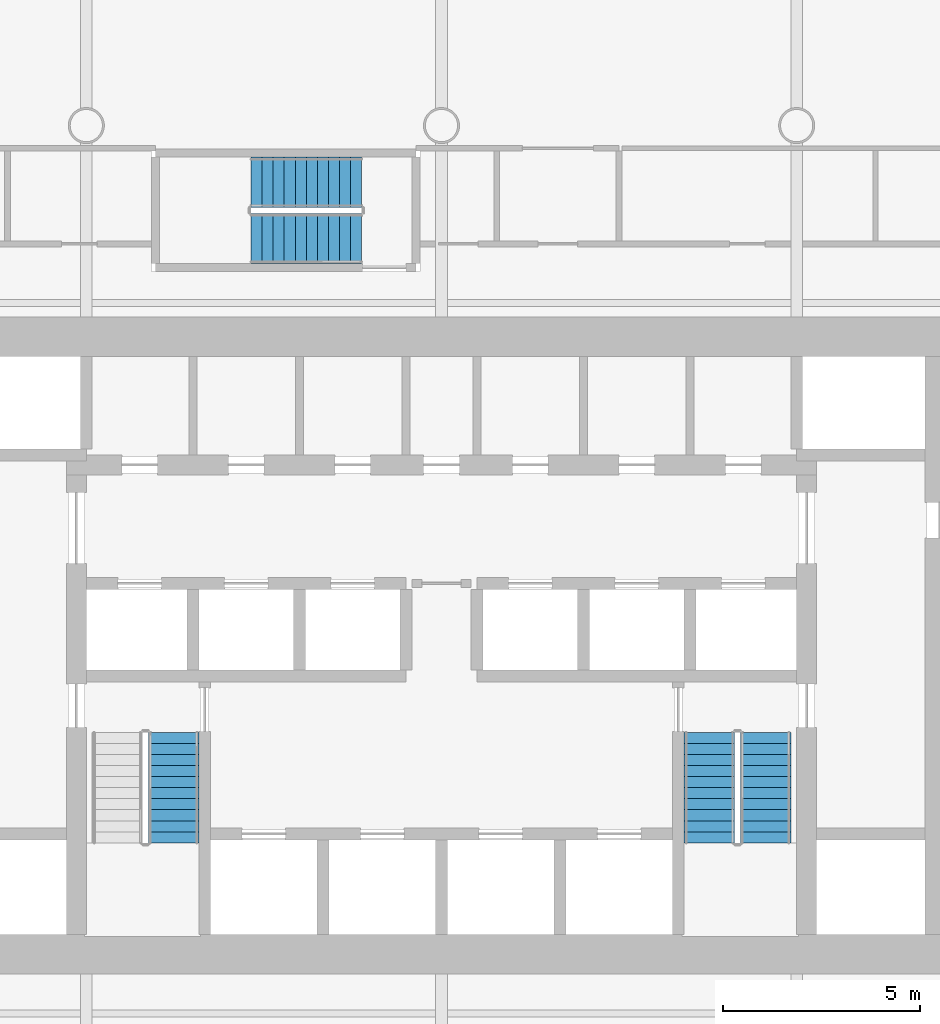
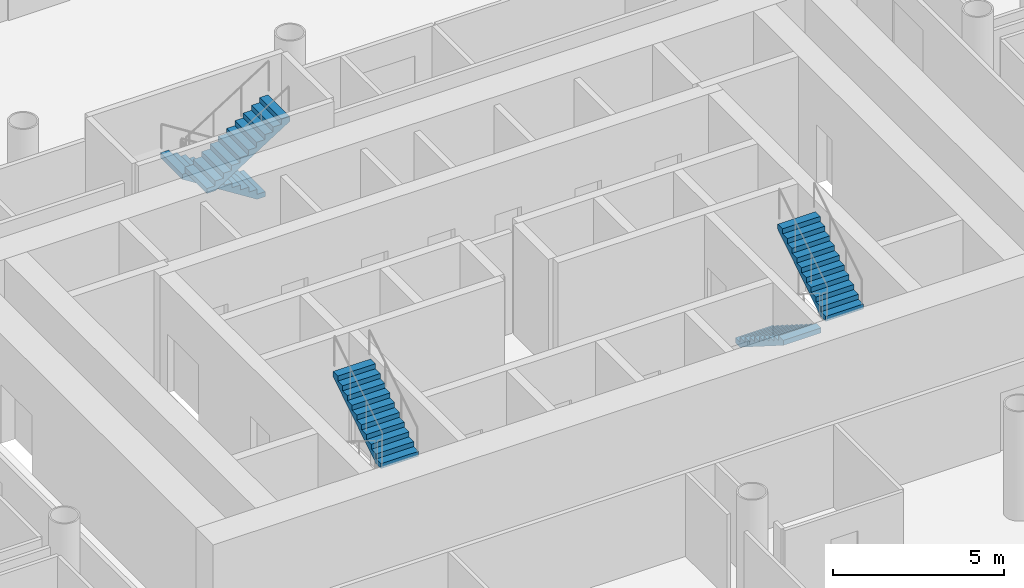
# One storey, part 17 of 22: 5 stair flights, 3 elements without a shape of their own.
"""IFC4 building model written with IfcOpenShell, lengths in metres."""

from ifc_helpers import new_model, si_unit, direction, frame, origin, place, context, subcontext, project, spatial, polyline, outline, extrude, material, type_object, element, aggregate, save


model = new_model("IFC4")

# Units and contexts
model_context = context("Model", 3, precision=1e-05, world=origin(), true_north=direction((0.0, 1.0)))
body_context = subcontext(model_context, "Body", "Model", "MODEL_VIEW")
ifc_project = project(units=[si_unit("LENGTHUNIT", "METRE"), si_unit("AREAUNIT", "SQUARE_METRE"), si_unit("VOLUMEUNIT", "CUBIC_METRE"), si_unit("PLANEANGLEUNIT", "RADIAN"), si_unit("MASSUNIT", "GRAM", prefix="KILO")], contexts=[model_context])

# Site, building, storey
site_placement = place(None, origin())
site = spatial("IfcSite", under=ifc_project, at=site_placement, CompositionType="ELEMENT")
building_placement = place(site_placement, origin())
building = spatial("IfcBuilding", under=site, at=building_placement, Name="Tskaro Facet Tower", CompositionType="ELEMENT")
storey_placement = place(building_placement, frame((0.0, 0.0, 18.60009765625)))
storey = spatial("IfcBuildingStorey", under=building, at=storey_placement, Name="L03", CompositionType="ELEMENT", Elevation=18.60009765625)

# Stair, stair flight
ifc_material = material(Name="Concrete C40/50", Category="concrete")
stair_type = type_object("IfcStairType", Name="ST-TWR", PredefinedType="HALF_TURN_STAIR", material=ifc_material)
stair_1_placement = place(storey_placement, origin())
stair_1 = element("IfcStair", 1, at=stair_1_placement, inside=storey, type_object=stair_type, Name="L03 Exit stair 1", PredefinedType="HALF_TURN_STAIR")
stair_flight_type = type_object("IfcStairFlightType", Name="SFL-RC", PredefinedType="STRAIGHT", material=ifc_material)
stair_flight_1_placement = place(storey_placement, frame((-6.78759765625, -9.175048828125, 1.949951171875), z_axis=(0.0, 0.0, 1.0), x_axis=(0.0, 1.0, 0.0)))
stair_flight_1 = element("IfcStairFlight", 2, at=stair_flight_1_placement, type_object=stair_flight_type, Name="ST-1 flight 2", NumberOfRisers=11, NumberOfTreads=10, PredefinedType="STRAIGHT", RiserHeight=0.177272727, TreadLength=0.28, context=body_context, shape_type="SweptSolid", body=[
    extrude(outline(polyline([(0.0, 0.0), (0.0, 0.17724609375), (0.280029296875, 0.17724609375), (0.280029296875, 0.3544921875), (0.56005859375, 0.3544921875), (0.56005859375, 0.53173828125), (0.840087890625, 0.53173828125), (0.840087890625, 0.708984375), (1.1201171875, 0.708984375), (1.1201171875, 0.886474609375), (1.39990234375, 0.886474609375), (1.39990234375, 1.063720703125), (1.679931640625, 1.063720703125), (1.679931640625, 1.240966796875), (1.9599609375, 1.240966796875), (1.9599609375, 1.418212890625), (2.239990234375, 1.418212890625), (2.239990234375, 1.595458984375), (2.52001953125, 1.595458984375), (2.52001953125, 1.772705078125), (2.800048828125, 1.772705078125), (2.800048828125, 1.949951171875), (2.800048828125, 1.59521484375), (0.2802734375, 0.0), (0.0, 0.0)])), frame((0.0, 0.637451171875, 0.0), z_axis=(0.0, -1.0, 0.0), x_axis=(1.0, 0.0, 0.0)), (0.0, 0.0, 1.0), 1.27490234375),
])
aggregate(stair_1, [stair_flight_1])

# Stair, stair flights
stair_2_placement = place(storey_placement, origin())
stair_2 = element("IfcStair", 3, at=stair_2_placement, inside=storey, type_object=stair_type, Name="L03 Exit stair 2", PredefinedType="HALF_TURN_STAIR")
stair_flight_2_placement = place(storey_placement, frame((6.78759765625, -6.375, 0.0), z_axis=(0.0, 0.0, 1.0), x_axis=(0.0, -1.0, 0.0)))
stair_flight_2 = element("IfcStairFlight", 4, at=stair_flight_2_placement, type_object=stair_flight_type, Name="ST-2 flight 1", NumberOfRisers=11, NumberOfTreads=10, PredefinedType="STRAIGHT", RiserHeight=0.177272727, TreadLength=0.28, context=body_context, shape_type="SweptSolid", body=[
    extrude(outline(polyline([(0.0, 0.0), (0.0, 0.17724609375), (0.280029296875, 0.17724609375), (0.280029296875, 0.3544921875), (0.56005859375, 0.3544921875), (0.56005859375, 0.53173828125), (0.840087890625, 0.53173828125), (0.840087890625, 0.708984375), (1.1201171875, 0.708984375), (1.1201171875, 0.886474609375), (1.39990234375, 0.886474609375), (1.39990234375, 1.063720703125), (1.679931640625, 1.063720703125), (1.679931640625, 1.240966796875), (1.9599609375, 1.240966796875), (1.9599609375, 1.418212890625), (2.239990234375, 1.418212890625), (2.239990234375, 1.595458984375), (2.52001953125, 1.595458984375), (2.52001953125, 1.772705078125), (2.800048828125, 1.772705078125), (2.800048828125, 1.949951171875), (2.800048828125, 1.59521484375), (0.2802734375, 0.0), (0.0, 0.0)])), frame((0.0, 0.637451171875, 0.0), z_axis=(0.0, -1.0, 0.0), x_axis=(1.0, 0.0, 0.0)), (0.0, 0.0, 1.0), 1.27490234375),
])
stair_flight_3_placement = place(storey_placement, frame((8.21240234375, -9.175048828125, 1.949951171875), z_axis=(0.0, 0.0, 1.0), x_axis=(0.0, 1.0, 0.0)))
stair_flight_3 = element("IfcStairFlight", 5, at=stair_flight_3_placement, type_object=stair_flight_type, Name="ST-2 flight 2", NumberOfRisers=11, NumberOfTreads=10, PredefinedType="STRAIGHT", RiserHeight=0.177272727, TreadLength=0.28, context=body_context, shape_type="SweptSolid", body=[
    extrude(outline(polyline([(0.0, 0.0), (0.0, 0.17724609375), (0.280029296875, 0.17724609375), (0.280029296875, 0.3544921875), (0.56005859375, 0.3544921875), (0.56005859375, 0.53173828125), (0.840087890625, 0.53173828125), (0.840087890625, 0.708984375), (1.1201171875, 0.708984375), (1.1201171875, 0.886474609375), (1.39990234375, 0.886474609375), (1.39990234375, 1.063720703125), (1.679931640625, 1.063720703125), (1.679931640625, 1.240966796875), (1.9599609375, 1.240966796875), (1.9599609375, 1.418212890625), (2.239990234375, 1.418212890625), (2.239990234375, 1.595458984375), (2.52001953125, 1.595458984375), (2.52001953125, 1.772705078125), (2.800048828125, 1.772705078125), (2.800048828125, 1.949951171875), (2.800048828125, 1.59521484375), (0.2802734375, 0.0), (0.0, 0.0)])), frame((0.0, 0.637451171875, 0.0), z_axis=(0.0, -1.0, 0.0), x_axis=(1.0, 0.0, 0.0)), (0.0, 0.0, 1.0), 1.27490234375),
])
aggregate(stair_2, [stair_flight_2, stair_flight_3])

stair_3_placement = place(storey_placement, origin())
stair_3 = element("IfcStair", 6, at=stair_3_placement, inside=storey, type_object=stair_type, Name="L03 Exit stair 3", PredefinedType="HALF_TURN_STAIR")
stair_flight_4_placement = place(storey_placement, frame((-2.02490234375, 7.5625, 0.0), z_axis=(0.0, 0.0, 1.0), x_axis=(-1.0, 0.0, 0.0)))
stair_flight_4 = element("IfcStairFlight", 7, at=stair_flight_4_placement, type_object=stair_flight_type, Name="ST-3 flight 1", NumberOfRisers=11, NumberOfTreads=10, PredefinedType="STRAIGHT", RiserHeight=0.177272727, TreadLength=0.28, context=body_context, shape_type="SweptSolid", body=[
    extrude(outline(polyline([(0.0, 0.0), (0.0, 0.17724609375), (0.280029296875, 0.17724609375), (0.280029296875, 0.3544921875), (0.56005859375, 0.3544921875), (0.56005859375, 0.53173828125), (0.840087890625, 0.53173828125), (0.840087890625, 0.708984375), (1.1201171875, 0.708984375), (1.1201171875, 0.886474609375), (1.39990234375, 0.886474609375), (1.39990234375, 1.063720703125), (1.679931640625, 1.063720703125), (1.679931640625, 1.240966796875), (1.9599609375, 1.240966796875), (1.9599609375, 1.418212890625), (2.239990234375, 1.418212890625), (2.239990234375, 1.595458984375), (2.52001953125, 1.595458984375), (2.52001953125, 1.772705078125), (2.800048828125, 1.772705078125), (2.800048828125, 1.949951171875), (2.800048828125, 1.59521484375), (0.2802734375, 0.0), (0.0, 0.0)])), frame((0.0, 0.637451171875, 0.0), z_axis=(0.0, -1.0, 0.0), x_axis=(1.0, 0.0, 0.0)), (0.0, 0.0, 1.0), 1.27490234375),
])
stair_flight_5_placement = place(storey_placement, frame((-4.824951171875, 6.137451171875, 1.949951171875), z_axis=(0.0, 0.0, 1.0), x_axis=(1.0, 0.0, 0.0)))
stair_flight_5 = element("IfcStairFlight", 8, at=stair_flight_5_placement, type_object=stair_flight_type, Name="ST-3 flight 2", NumberOfRisers=11, NumberOfTreads=10, PredefinedType="STRAIGHT", RiserHeight=0.177272727, TreadLength=0.28, context=body_context, shape_type="SweptSolid", body=[
    extrude(outline(polyline([(0.0, 0.0), (0.0, 0.17724609375), (0.280029296875, 0.17724609375), (0.280029296875, 0.3544921875), (0.56005859375, 0.3544921875), (0.56005859375, 0.53173828125), (0.840087890625, 0.53173828125), (0.840087890625, 0.708984375), (1.1201171875, 0.708984375), (1.1201171875, 0.886474609375), (1.39990234375, 0.886474609375), (1.39990234375, 1.063720703125), (1.679931640625, 1.063720703125), (1.679931640625, 1.240966796875), (1.9599609375, 1.240966796875), (1.9599609375, 1.418212890625), (2.239990234375, 1.418212890625), (2.239990234375, 1.595458984375), (2.52001953125, 1.595458984375), (2.52001953125, 1.772705078125), (2.800048828125, 1.772705078125), (2.800048828125, 1.949951171875), (2.800048828125, 1.59521484375), (0.2802734375, 0.0), (0.0, 0.0)])), frame((0.0, 0.637451171875, 0.0), z_axis=(0.0, -1.0, 0.0), x_axis=(1.0, 0.0, 0.0)), (0.0, 0.0, 1.0), 1.27490234375),
])
aggregate(stair_3, [stair_flight_4, stair_flight_5])

save(model, "model.ifc")
